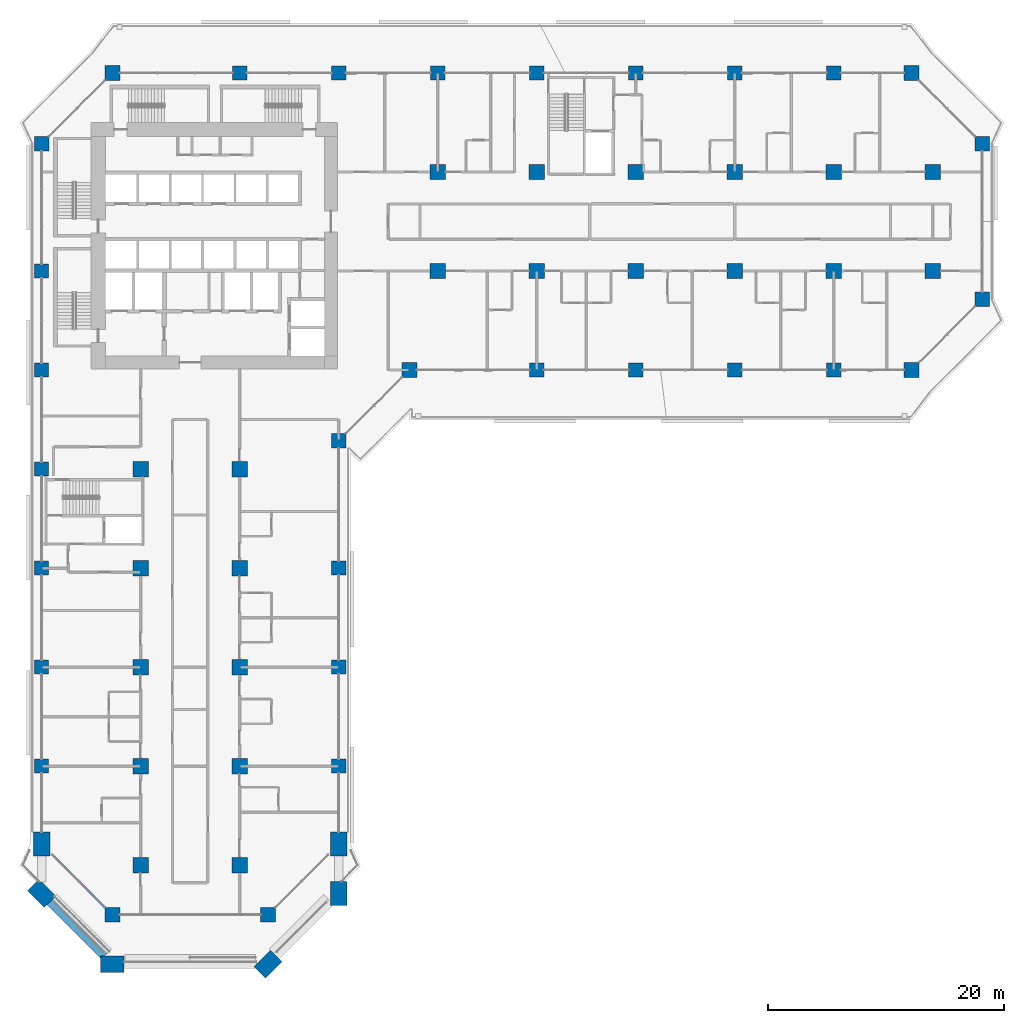
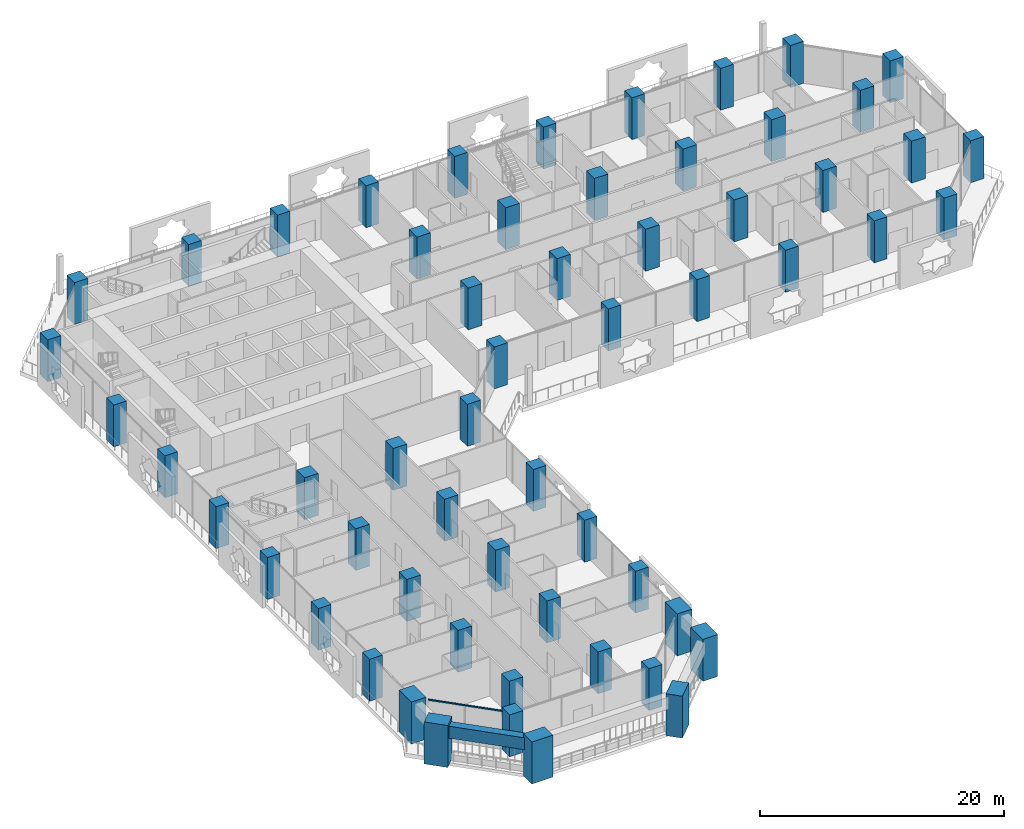
# One storey, part 1 of 26: 58 columns, 1 beam, 1 member, 1 element without a shape of its own.
"""IFC4 building model written with IfcOpenShell, lengths in metres."""

from ifc_helpers import new_model, si_unit, direction, frame, origin, origin_2d, place, context, subcontext, project, spatial, rectangle, extrude, material, layer, layer_set, material_profile, profile_set, type_object, element, aggregate, save


model = new_model("IFC4")

# Units and contexts
model_context = context("Model", 3, precision=1e-05, world=origin(), true_north=direction((0.0, 1.0)))
body_context = subcontext(model_context, "Body", "Model", "MODEL_VIEW")
ifc_project = project(units=[si_unit("LENGTHUNIT", "METRE"), si_unit("AREAUNIT", "SQUARE_METRE"), si_unit("VOLUMEUNIT", "CUBIC_METRE"), si_unit("PLANEANGLEUNIT", "RADIAN"), si_unit("MASSUNIT", "GRAM", prefix="KILO")], contexts=[model_context])

# Site, building, storey
site_placement = place(None, origin())
site = spatial("IfcSite", under=ifc_project, at=site_placement, CompositionType="ELEMENT")
building_placement = place(site_placement, origin())
building = spatial("IfcBuilding", under=site, at=building_placement, Name="Kawkab Arch Medical Tower", CompositionType="ELEMENT")
storey_placement = place(building_placement, frame((0.0, 0.0, 51.800048828125)))
storey = spatial("IfcBuildingStorey", under=building, at=storey_placement, Name="L11", CompositionType="ELEMENT", Elevation=51.800048828125)

# Columns
ifc_material_1 = material(Name="Concrete C60/75", Category="concrete")
ifc_material_profile_1 = material_profile(ifc_material_1, rectangle(XDim=1.199951171875, YDim=1.199951171875, at=origin_2d()), Name="RC 1200x1200")
ifc_profile_set_1 = profile_set([ifc_material_profile_1], Name="Concrete C60/75")
column_type_1 = type_object("IfcColumnType", Name="RC 1200x1200 column C60/75", PredefinedType="COLUMN", material=ifc_profile_set_1)
for number, where, z_axis, x_axis, name in (
    (1, (16.800048828125, 0.0, 0.0), (0.0, 0.0, 1.0), (1.0, 0.0, 0.0), "Column RC 1200x1200"),
    (2, (25.199951171875, 0.0, 0.0), (0.0, 0.0, 1.0), (1.0, 0.0, 0.0), "Column RC 1200x1200"),
    (3, (33.60009765625, 0.0, 0.0), (0.0, 0.0, 1.0), (1.0, 0.0, 0.0), "Column RC 1200x1200"),
    (4, (42.0, 0.0, 0.0), (0.0, 0.0, 1.0), (1.0, 0.0, 0.0), "Column RC 1200x1200"),
    (5, (50.39990234375, 0.0, 0.0), (0.0, 0.0, 1.0), (1.0, 0.0, 0.0), "Column RC 1200x1200"),
    (6, (58.800048828125, 0.0, 0.0), (0.0, 0.0, 1.0), (1.0, 0.0, 0.0), "Column RC 1200x1200"),
    (7, (67.199951171875, 0.0, 0.0), (0.0, 0.0, 1.0), (1.0, 0.0, 0.0), "Column RC 1200x1200"),
    (8, (0.0, -16.800048828125, 0.0), (0.0, 0.0, 1.0), (1.0, 0.0, 0.0), "Column RC 1200x1200"),
    (9, (0.0, -25.199951171875, 0.0), (0.0, 0.0, 1.0), (1.0, 0.0, 0.0), "Column RC 1200x1200"),
    (10, (42.0, -25.199951171875, 0.0), (0.0, 0.0, 1.0), (1.0, 0.0, 0.0), "Column RC 1200x1200"),
    (11, (50.39990234375, -25.199951171875, 0.0), (0.0, 0.0, 1.0), (1.0, 0.0, 0.0), "Column RC 1200x1200"),
    (12, (58.800048828125, -25.199951171875, 0.0), (0.0, 0.0, 1.0), (1.0, 0.0, 0.0), "Column RC 1200x1200"),
    (13, (67.199951171875, -25.199951171875, 0.0), (0.0, 0.0, 1.0), (1.0, 0.0, 0.0), "Column RC 1200x1200"),
    (14, (0.0, -33.60009765625, 0.0), (0.0, 0.0, 1.0), (1.0, 0.0, 0.0), "Column RC 1200x1200"),
    (15, (0.0, -42.0, 0.0), (0.0, 0.0, 1.0), (1.0, 0.0, 0.0), "Column RC 1200x1200"),
    (16, (25.199951171875, -42.0, 0.0), (0.0, 0.0, 1.0), (1.0, 0.0, 0.0), "Column RC 1200x1200"),
    (17, (0.0, -50.39990234375, 0.0), (0.0, 0.0, 1.0), (1.0, 0.0, 0.0), "Column RC 1200x1200"),
    (18, (25.199951171875, -50.39990234375, 0.0), (0.0, 0.0, 1.0), (1.0, 0.0, 0.0), "Column RC 1200x1200"),
    (19, (0.0, -58.800048828125, 0.0), (0.0, 0.0, 1.0), (1.0, 0.0, 0.0), "Column RC 1200x1200"),
    (20, (25.199951171875, -58.800048828125, 0.0), (0.0, 0.0, 1.0), (1.0, 0.0, 0.0), "Column RC 1200x1200"),
):
    element("IfcColumn", number, at=place(storey_placement, frame(where, z_axis=z_axis, x_axis=x_axis)), inside=storey, type_object=column_type_1, Name=name, PredefinedType="COLUMN", context=body_context, shape_type="SweptSolid", body=[
        extrude(rectangle(XDim=1.199951171875, YDim=1.199951171875, at=origin_2d()), origin(), (0.0, 0.0, 1.0), 4.199951171875),
    ])
ifc_material_2 = material(Name="Concrete C60/75", Category="concrete")
ifc_material_profile_2 = material_profile(ifc_material_2, rectangle(XDim=1.25, YDim=1.25, at=origin_2d()), Name="RC 1250x1250")
ifc_profile_set_2 = profile_set([ifc_material_profile_2], Name="Concrete C60/75")
column_type_2 = type_object("IfcColumnType", Name="RC 1250x1250 column C60/75", PredefinedType="COLUMN", material=ifc_profile_set_2)
for number, where, z_axis, x_axis, name in (
    (21, (6.0, 0.0, 0.0), (0.0, 0.0, 1.0), (1.0, 0.0, 0.0), "Column RC 1250x1250"),
    (22, (73.800048828125, 0.0, 0.0), (0.0, 0.0, 1.0), (1.0, 0.0, 0.0), "Column RC 1250x1250"),
    (23, (0.0, -6.0, 0.0), (0.0, 0.0, 1.0), (1.0, 0.0, 0.0), "Column RC 1250x1250"),
    (24, (79.800048828125, -6.0, 0.0), (0.0, 0.0, 1.0), (1.0, 0.0, 0.0), "Column RC 1250x1250"),
    (25, (79.800048828125, -19.199951171875, 0.0), (0.0, 0.0, 1.0), (1.0, 0.0, 0.0), "Column RC 1250x1250"),
    (26, (31.199951171875, -25.199951171875, 0.0), (0.0, 0.0, 1.0), (1.0, 0.0, 0.0), "Column RC 1250x1250"),
    (27, (73.800048828125, -25.199951171875, 0.0), (0.0, 0.0, 1.0), (1.0, 0.0, 0.0), "Column RC 1250x1250"),
    (28, (25.199951171875, -31.199951171875, 0.0), (0.0, 0.0, 1.0), (1.0, 0.0, 0.0), "Column RC 1250x1250"),
    (29, (6.0, -71.39990234375, 0.0), (0.0, 0.0, 1.0), (1.0, 0.0, 0.0), "Column RC 1250x1250"),
    (30, (19.199951171875, -71.39990234375, 0.0), (0.0, 0.0, 1.0), (1.0, 0.0, 0.0), "Column RC 1250x1250"),
):
    element("IfcColumn", number, at=place(storey_placement, frame(where, z_axis=z_axis, x_axis=x_axis)), inside=storey, type_object=column_type_2, Name=name, PredefinedType="COLUMN", context=body_context, shape_type="SweptSolid", body=[
        extrude(rectangle(XDim=1.25, YDim=1.25, at=origin_2d()), origin(), (0.0, 0.0, 1.0), 4.199951171875),
    ])
ifc_material_3 = material(Name="Concrete C60/75", Category="concrete")
ifc_material_profile_3 = material_profile(ifc_material_3, rectangle(XDim=1.300048828125, YDim=1.300048828125, at=origin_2d()), Name="RC 1300x1300")
ifc_profile_set_3 = profile_set([ifc_material_profile_3], Name="Concrete C60/75")
column_type_3 = type_object("IfcColumnType", Name="RC 1300x1300 column C60/75", PredefinedType="COLUMN", material=ifc_profile_set_3)
for number, where, z_axis, x_axis, name in (
    (31, (33.60009765625, -8.39990234375, 0.0), (0.0, 0.0, 1.0), (1.0, 0.0, 0.0), "Column RC 1300x1300"),
    (32, (42.0, -8.39990234375, 0.0), (0.0, 0.0, 1.0), (1.0, 0.0, 0.0), "Column RC 1300x1300"),
    (33, (50.39990234375, -8.39990234375, 0.0), (0.0, 0.0, 1.0), (1.0, 0.0, 0.0), "Column RC 1300x1300"),
    (34, (58.800048828125, -8.39990234375, 0.0), (0.0, 0.0, 1.0), (1.0, 0.0, 0.0), "Column RC 1300x1300"),
    (35, (67.199951171875, -8.39990234375, 0.0), (0.0, 0.0, 1.0), (1.0, 0.0, 0.0), "Column RC 1300x1300"),
    (36, (75.60009765625, -8.39990234375, 0.0), (0.0, 0.0, 1.0), (1.0, 0.0, 0.0), "Column RC 1300x1300"),
    (37, (33.60009765625, -16.800048828125, 0.0), (0.0, 0.0, 1.0), (1.0, 0.0, 0.0), "Column RC 1300x1300"),
    (38, (42.0, -16.800048828125, 0.0), (0.0, 0.0, 1.0), (1.0, 0.0, 0.0), "Column RC 1300x1300"),
    (39, (50.39990234375, -16.800048828125, 0.0), (0.0, 0.0, 1.0), (1.0, 0.0, 0.0), "Column RC 1300x1300"),
    (40, (58.800048828125, -16.800048828125, 0.0), (0.0, 0.0, 1.0), (1.0, 0.0, 0.0), "Column RC 1300x1300"),
    (41, (67.199951171875, -16.800048828125, 0.0), (0.0, 0.0, 1.0), (1.0, 0.0, 0.0), "Column RC 1300x1300"),
    (42, (75.60009765625, -16.800048828125, 0.0), (0.0, 0.0, 1.0), (1.0, 0.0, 0.0), "Column RC 1300x1300"),
    (43, (8.39990234375, -33.60009765625, 0.0), (0.0, 0.0, 1.0), (1.0, 0.0, 0.0), "Column RC 1300x1300"),
    (44, (16.800048828125, -33.60009765625, 0.0), (0.0, 0.0, 1.0), (1.0, 0.0, 0.0), "Column RC 1300x1300"),
    (45, (8.39990234375, -42.0, 0.0), (0.0, 0.0, 1.0), (1.0, 0.0, 0.0), "Column RC 1300x1300"),
    (46, (16.800048828125, -42.0, 0.0), (0.0, 0.0, 1.0), (1.0, 0.0, 0.0), "Column RC 1300x1300"),
    (47, (8.39990234375, -50.39990234375, 0.0), (0.0, 0.0, 1.0), (1.0, 0.0, 0.0), "Column RC 1300x1300"),
    (48, (16.800048828125, -50.39990234375, 0.0), (0.0, 0.0, 1.0), (1.0, 0.0, 0.0), "Column RC 1300x1300"),
    (49, (8.39990234375, -58.800048828125, 0.0), (0.0, 0.0, 1.0), (1.0, 0.0, 0.0), "Column RC 1300x1300"),
    (50, (16.800048828125, -58.800048828125, 0.0), (0.0, 0.0, 1.0), (1.0, 0.0, 0.0), "Column RC 1300x1300"),
    (51, (8.39990234375, -67.199951171875, 0.0), (0.0, 0.0, 1.0), (1.0, 0.0, 0.0), "Column RC 1300x1300"),
    (52, (16.800048828125, -67.199951171875, 0.0), (0.0, 0.0, 1.0), (1.0, 0.0, 0.0), "Column RC 1300x1300"),
):
    element("IfcColumn", number, at=place(storey_placement, frame(where, z_axis=z_axis, x_axis=x_axis)), inside=storey, type_object=column_type_3, Name=name, PredefinedType="COLUMN", context=body_context, shape_type="SweptSolid", body=[
        extrude(rectangle(XDim=1.300048828125, YDim=1.300048828125, at=origin_2d()), origin(), (0.0, 0.0, 1.0), 4.199951171875),
    ])
ifc_material_4 = material(Name="Concrete C60/75", Category="concrete")
ifc_material_profile_4 = material_profile(ifc_material_4, rectangle(XDim=2.0, YDim=1.39990234375, at=origin_2d()), Name="RC 2000x1400")
ifc_profile_set_4 = profile_set([ifc_material_profile_4], Name="Concrete C60/75")
column_type_4 = type_object("IfcColumnType", Name="RC 2000x1400 column C60/75", PredefinedType="COLUMN", material=ifc_profile_set_4)
for number, where, z_axis, x_axis, name in (
    (53, (0.0, -65.39990234375, 0.0), (0.0, 0.0, 1.0), (0.0, 1.0, 0.0), "Column RC 2000x1400"),
    (54, (25.199951171875, -65.39990234375, 0.0), (0.0, 0.0, 1.0), (0.0, -1.0, 0.0), "Column RC 2000x1400"),
    (55, (25.199951171875, -69.60009765625, 0.0), (0.0, 0.0, 1.0), (0.0, -1.0, 0.0), "Column RC 2000x1400"),
    (56, (19.199951171875, -75.60009765625, 0.0), (0.0, 0.0, 1.0), (-0.707106781187, -0.707106781187, 0.0), "Column RC 2000x1400"),
    (57, (6.0, -75.60009765625, 0.0), (0.0, 0.0, 1.0), (-1.0, 0.0, 0.0), "Column RC 2000x1400"),
    (58, (0.0, -69.60009765625, 0.0), (0.0, 0.0, 1.0), (-0.707106781187, 0.707106781187, 0.0), "Column RC 2000x1400"),
):
    element("IfcColumn", number, at=place(storey_placement, frame(where, z_axis=z_axis, x_axis=x_axis)), inside=storey, type_object=column_type_4, Name=name, PredefinedType="COLUMN", context=body_context, shape_type="SweptSolid", body=[
        extrude(rectangle(XDim=2.0, YDim=1.39990234375, at=origin_2d()), origin(), (0.0, 0.0, 1.0), 4.199951171875),
    ])

# Curtain wall, member
ifc_material_5 = material(Name="Bronze anodised aluminium curtain wall frame", Category="aluminium")
ifc_layer = layer(ifc_material_5, 0.159912109375)
ifc_layer_set = layer_set([ifc_layer], Name="Bronze anodised aluminium curtain wall frame")
curtain_wall_type = type_object("IfcCurtainWallType", Name="CW2 chamfer curtain wall", PredefinedType="NOTDEFINED", material=ifc_layer_set)
curtain_wall_placement = place(storey_placement, origin())
curtain_wall = element("IfcCurtainWall", 59, at=curtain_wall_placement, inside=storey, type_object=curtain_wall_type, Name="CW2 Chamfer curtain wall R02", PredefinedType="NOTDEFINED")
ifc_material_6 = material(Name="Bronze anodised aluminium curtain wall frame", Category="aluminium")
ifc_material_profile_5 = material_profile(ifc_material_6, rectangle(XDim=0.06005859375, YDim=0.139892578125, at=origin_2d()), Name="AL 60x140")
ifc_profile_set_5 = profile_set([ifc_material_profile_5], Name="Bronze anodised aluminium curtain wall frame")
member_type = type_object("IfcMemberType", Name="CW2 transom 140 x 60", PredefinedType="USERDEFINED", material=ifc_profile_set_5)
member_placement = place(storey_placement, frame((0.930419921875, -66.330322265625, 3.829833984375), z_axis=(0.707106781187, -0.707106781187, 0.0), x_axis=(0.707106781187, 0.707106781187, 0.0)))
member = element("IfcMember", 60, at=member_placement, type_object=member_type, Name="CW2 transom 1", ObjectType="TRANSOM", PredefinedType="USERDEFINED", context=body_context, shape_type="SweptSolid", body=[
    extrude(rectangle(XDim=0.06005859375, YDim=0.139892578125, at=origin_2d()), origin(), (0.0, 0.0, 1.0), 6.28564453125),
])
aggregate(curtain_wall, [member])

# Beam
ifc_material_7 = material(Name="Concrete C60/75", Category="concrete")
ifc_material_profile_6 = material_profile(ifc_material_7, rectangle(XDim=0.699951171875, YDim=1.199951171875, at=origin_2d()), Name="RC 700x1200")
ifc_profile_set_6 = profile_set([ifc_material_profile_6], Name="Concrete C60/75")
beam_type = type_object("IfcBeamType", Name="RC 700x1200 beam C60/75", PredefinedType="BEAM", material=ifc_profile_set_6)
beam_placement = place(storey_placement, frame((5.300048828125, -74.89990234375, 3.300048828125), z_axis=(-0.707125574473, 0.707087987401, 0.0), x_axis=(-0.707087987401, -0.707125574473, 0.0)))
element("IfcBeam", 61, at=beam_placement, inside=storey, type_object=beam_type, Name="Terrace frame beam TF-L11-1-L12-04", PredefinedType="BEAM", context=body_context, shape_type="SweptSolid", body=[
    extrude(rectangle(XDim=0.699951171875, YDim=1.199951171875, at=origin_2d()), origin(), (0.0, 0.0, 1.0), 6.495361328125),
])

save(model, "model.ifc")
